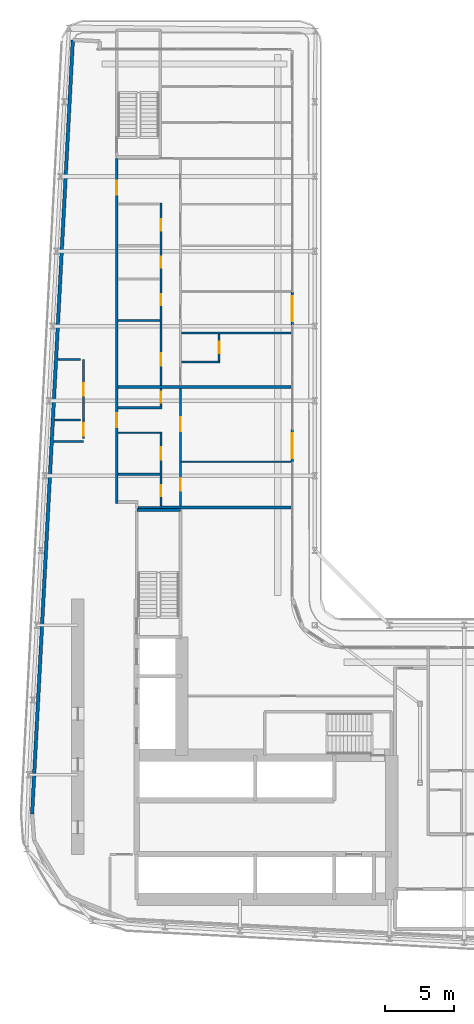
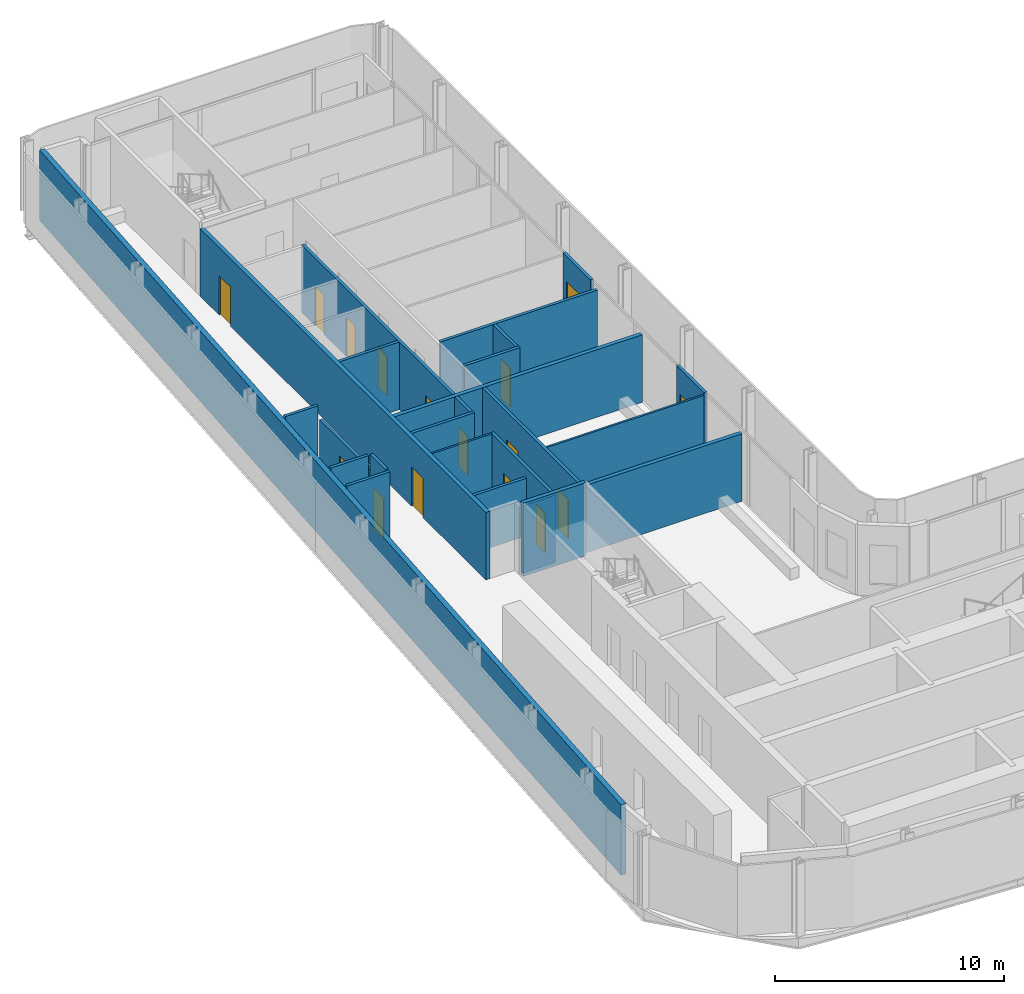
# One storey, part 17 of 27: 25 walls, 16 doors, 16 openings.
"""IFC4 building model written with IfcOpenShell, lengths in metres."""

import ifcopenshell
import ifcopenshell.guid

model = None  # the IFC model being written
_history = None  # IfcOwnerHistory: only IFC2X3 demands one
_inside = {}  # id of a spatial element -> (the spatial element, [elements in it])
_under = {}  # id of a project, library or spatial element -> (it, [spatial elements below it])
_declared = {}  # id of a project -> (the project, [libraries it declares])
_typed = {}  # id of a type object -> (the type object, [elements of that type])
_made_of = {}  # id of a material, layer set ... -> (it, [elements and type objects made of it])


def new_model(schema):
    """Start an empty IFC model of exactly this schema.

    Asked for "IFC4X3", IfcOpenShell would pick the latest addendum, in which some entities
    have other attributes; the version numbers below select the first issue.
    IFC2X3 requires an IfcOwnerHistory on every rooted entity: one is made here for all.
    """
    global model, _history
    if schema == "IFC4X3":
        model = ifcopenshell.file(schema_version=(4, 3, 0, 0))
    else:
        model = ifcopenshell.file(schema=schema)
    _inside.clear()
    _under.clear()
    _declared.clear()
    _typed.clear()
    _made_of.clear()
    _history = None
    if model.schema == "IFC2X3":
        org = make("IfcOrganization", Name="unknown")
        user = make(
            "IfcPersonAndOrganization",
            ThePerson=make("IfcPerson", FamilyName="unknown"),
            TheOrganization=org,
        )
        app = make(
            "IfcApplication",
            ApplicationDeveloper=org,
            Version="unknown",
            ApplicationFullName="unknown",
            ApplicationIdentifier="unknown",
        )
        _history = make(
            "IfcOwnerHistory",
            OwningUser=user,
            OwningApplication=app,
            ChangeAction="ADDED",
            CreationDate=0,
        )
    return model


def make(cls, **values):
    """One entity of the class cls with the attributes given. An attribute that is None is left unset."""
    return model.create_entity(
        cls, **{name: value for name, value in values.items() if value is not None}
    )


def rooted(cls, **values):
    """An entity with a GlobalId (a new one), such as an element, a storey or a relation."""
    return make(cls, GlobalId=ifcopenshell.guid.new(), OwnerHistory=_history, **values)


def si_unit(unit_type, name, prefix=None):
    """IfcSIUnit, for example si_unit("LENGTHUNIT", "METRE", prefix="MILLI")."""
    return make("IfcSIUnit", UnitType=unit_type, Prefix=prefix, Name=name)


def assignment(units):
    """IfcUnitAssignment: the units of a project."""
    return None if units is None else make("IfcUnitAssignment", Units=units)


def point(xyz):
    """IfcCartesianPoint."""
    return None if xyz is None else make("IfcCartesianPoint", Coordinates=xyz)


def direction(xyz):
    """IfcDirection."""
    return None if xyz is None else make("IfcDirection", DirectionRatios=xyz)


def frame(location, z_axis=None, x_axis=None):
    """IfcAxis2Placement3D, a coordinate frame: its origin and axes. An axis left out is left unset."""
    return make(
        "IfcAxis2Placement3D",
        Location=point(location),
        Axis=direction(z_axis),
        RefDirection=direction(x_axis),
    )


def frame_2d(location, x_axis=None):
    """IfcAxis2Placement2D, a coordinate frame in the plane: its origin and x axis."""
    return make(
        "IfcAxis2Placement2D", Location=point(location), RefDirection=direction(x_axis)
    )


def origin():
    """The frame at (0, 0, 0) with its axes left unset."""
    return frame((0.0, 0.0, 0.0))


def place(relative_to, where):
    """IfcLocalPlacement: puts the frame where relative to a parent placement (None: the world)."""
    return make(
        "IfcLocalPlacement", PlacementRelTo=relative_to, RelativePlacement=where
    )


def context(
    kind, dimensions, precision=None, world=None, true_north=None, identifier=None
):
    """IfcGeometricRepresentationContext, for example the 3D "Model" context."""
    return make(
        "IfcGeometricRepresentationContext",
        ContextIdentifier=identifier,
        ContextType=kind,
        CoordinateSpaceDimension=dimensions,
        Precision=precision,
        WorldCoordinateSystem=world,
        TrueNorth=true_north,
    )


def subcontext(parent, identifier, kind, view, scale=None):
    """IfcGeometricRepresentationSubContext, for example "Body" below "Model"."""
    return make(
        "IfcGeometricRepresentationSubContext",
        ContextIdentifier=identifier,
        ContextType=kind,
        ParentContext=parent,
        TargetScale=scale,
        TargetView=view,
    )


def project(units=None, contexts=None):
    """IfcProject with its units and contexts."""
    return rooted(
        "IfcProject",
        Name="project",
        RepresentationContexts=contexts,
        UnitsInContext=assignment(units),
    )


def spatial(cls, under=None, at=None, **own):
    """A site, building, storey or space (cls), placed at a placement, below another one or the project."""
    s = rooted(cls, ObjectPlacement=at, **own)
    if under is not None:
        _under.setdefault(under.id(), (under, []))[1].append(s)
    return s


def profile(cls, at=None, kind="AREA", **sizes):
    """A parametric profile (cls). Its sizes go by their IFC names, for example OverallWidth=200.0."""
    return make(cls, ProfileType=kind, Position=at, **sizes)


def rectangle(**sizes):
    """IfcRectangleProfileDef."""
    return profile("IfcRectangleProfileDef", **sizes)


def extrude(swept, where, along, depth):
    """IfcExtrudedAreaSolid: the profile swept, set in the frame where, extruded along a direction by depth."""
    return make(
        "IfcExtrudedAreaSolid",
        SweptArea=swept,
        Position=where,
        ExtrudedDirection=direction(along),
        Depth=depth,
    )


def shape(context_of_items, identifier, shape_type, items):
    """IfcShapeRepresentation: the items that make up one representation, for example the "Body"."""
    return make(
        "IfcShapeRepresentation",
        ContextOfItems=context_of_items,
        RepresentationIdentifier=identifier,
        RepresentationType=shape_type,
        Items=items,
    )


def source(mapping_origin, context_of_items, identifier, shape_type, items):
    """IfcRepresentationMap: a shape defined once, which mapped items show again and again."""
    return make(
        "IfcRepresentationMap",
        MappingOrigin=mapping_origin,
        MappedRepresentation=shape(context_of_items, identifier, shape_type, items),
    )


def transform(
    local_origin,
    x_axis=None,
    y_axis=None,
    z_axis=None,
    scale=None,
    scale2=None,
    scale3=None,
    uniform=True,
):
    """IfcCartesianTransformationOperator3D, or its non-uniform kind. x_axis, y_axis, z_axis: its Axis1, 2, 3."""
    if uniform:
        return make(
            "IfcCartesianTransformationOperator3D",
            Axis1=direction(x_axis),
            Axis2=direction(y_axis),
            LocalOrigin=point(local_origin),
            Scale=scale,
            Axis3=direction(z_axis),
        )
    return make(
        "IfcCartesianTransformationOperator3DnonUniform",
        Axis1=direction(x_axis),
        Axis2=direction(y_axis),
        LocalOrigin=point(local_origin),
        Scale=scale,
        Axis3=direction(z_axis),
        Scale2=scale2,
        Scale3=scale3,
    )


def mapped(mapping_source, mapping_target):
    """IfcMappedItem: shows the shape of a source again, moved by a transform."""
    return make(
        "IfcMappedItem", MappingSource=mapping_source, MappingTarget=mapping_target
    )


def material(Name=None, Category=None):
    """IfcMaterial."""
    return make("IfcMaterial", Name=Name, Category=Category)


def layer(
    of_material, thickness, ventilated=None, Name=None, Category=None, Priority=None
):
    """IfcMaterialLayer: one layer of a wall or slab, of a material (None: an air gap)."""
    return make(
        "IfcMaterialLayer",
        Material=of_material,
        LayerThickness=thickness,
        IsVentilated=ventilated,
        Name=Name,
        Category=Category,
        Priority=Priority,
    )


def layer_set(layers, Name=None):
    """IfcMaterialLayerSet."""
    return make("IfcMaterialLayerSet", MaterialLayers=layers, LayerSetName=Name)


def made_of(thing, what):
    """Note that an element or type object is made of a material, layer set ...; save() writes the relation."""
    if what is not None:
        _made_of.setdefault(what.id(), (what, []))[1].append(thing)
    return thing


def type_object(cls, material=None, **own):
    """A type object (cls), such as IfcWallType, which elements share."""
    return made_of(rooted(cls, **own), material)


def element(
    cls,
    number,
    at=None,
    inside=None,
    cuts=None,
    type_object=None,
    material=None,
    context=None,
    identifier="Body",
    shape_type=None,
    held_by="IfcProductDefinitionShape",
    body=None,
    shapes=None,
    **own,
):
    """One element of the class cls, such as IfcWall. Its Tag is "e" and its number.

    at: its placement. inside: the storey or other place that contains it. cuts: it is an
    opening in that element (IfcRelVoidsElement). A single representation is given by context,
    identifier, shape_type and body (its items); several are given by shapes. held_by: the class
    of the entity that holds the representations. save() writes the other relations.
    """
    e = rooted(cls, Tag="e%d" % number, ObjectPlacement=at, **own)
    if body is not None:
        shapes = [shape(context, identifier, shape_type, body)]
    if shapes is not None:
        e.Representation = make(held_by, Representations=shapes)
    if inside is not None:
        _inside.setdefault(inside.id(), (inside, []))[1].append(e)
    if cuts is not None:
        rooted(
            "IfcRelVoidsElement", RelatingBuildingElement=cuts, RelatedOpeningElement=e
        )
    if type_object is not None:
        _typed.setdefault(type_object.id(), (type_object, []))[1].append(e)
    return made_of(e, material)


def fill(opening, filler):
    """IfcRelFillsElement: the door or window that sits in an opening."""
    return rooted(
        "IfcRelFillsElement",
        RelatingOpeningElement=opening,
        RelatedBuildingElement=filler,
    )


def aggregate(whole, parts):
    """IfcRelAggregates: a whole, such as a stair, and the parts it consists of."""
    return rooted("IfcRelAggregates", RelatingObject=whole, RelatedObjects=parts)


def save(model, path):
    """Write the relations noted so far, then the file.

    IfcRelAggregates (storeys below a building ...), IfcRelContainedInSpatialStructure (elements
    in a storey), IfcRelDefinesByType, IfcRelAssociatesMaterial and IfcRelDeclares: one each for
    every whole, place, type object, material and project.
    """
    for whole, parts in _under.values():
        aggregate(whole, parts)
    for where, things in _inside.values():
        rooted(
            "IfcRelContainedInSpatialStructure",
            RelatedElements=things,
            RelatingStructure=where,
        )
    for kind, things in _typed.values():
        rooted("IfcRelDefinesByType", RelatedObjects=things, RelatingType=kind)
    for what, things in _made_of.values():
        rooted("IfcRelAssociatesMaterial", RelatedObjects=things, RelatingMaterial=what)
    for by, libraries in _declared.values():
        rooted("IfcRelDeclares", RelatingContext=by, RelatedDefinitions=libraries)
    model.write(path)


model = new_model("IFC4")

# Units and contexts
model_context = context("Model", 3, precision=1e-05, world=origin(), true_north=direction((0.0, 1.0)))
body_context = subcontext(model_context, "Body", "Model", "MODEL_VIEW")
ifc_project = project(units=[si_unit("LENGTHUNIT", "METRE"), si_unit("AREAUNIT", "SQUARE_METRE"), si_unit("VOLUMEUNIT", "CUBIC_METRE"), si_unit("PLANEANGLEUNIT", "RADIAN"), si_unit("MASSUNIT", "GRAM", prefix="KILO")], contexts=[model_context])

# Site, building, storey
site_placement = place(None, origin())
site = spatial("IfcSite", under=ifc_project, at=site_placement, CompositionType="ELEMENT")
building_placement = place(site_placement, origin())
building = spatial("IfcBuilding", under=site, at=building_placement, Name="Kheshtan School and Residences Tower", CompositionType="ELEMENT")
storey_placement = place(building_placement, frame((0.0, 0.0, 98.0)))
storey = spatial("IfcBuildingStorey", under=building, at=storey_placement, Name="L22", CompositionType="ELEMENT", Elevation=98.0)

# Wall, openings, doors
ifc_material_1 = material(Name="Gypsum board on steel studs with fire boards", Category="steel")
ifc_layer_1 = layer(ifc_material_1, 0.199951171875)
ifc_layer_set_1 = layer_set([ifc_layer_1], Name="Corridor wall 200")
wall_type_1 = type_object("IfcWallType", Name="Corridor wall 200", PredefinedType="PARTITIONING", material=ifc_layer_set_1)
wall_1_placement = place(storey_placement, frame((33.300048828125, 54.39990234375, 0.0), z_axis=(0.0, 0.0, 1.0), x_axis=(0.0, 1.0, 0.0)))
wall_1 = element("IfcWall", 1, at=wall_1_placement, inside=storey, type_object=wall_type_1, Name="Partition L22-001", PredefinedType="PARTITIONING", context=body_context, shape_type="SweptSolid", body=[
    extrude(rectangle(XDim=24.9501953125, YDim=0.199951171875, at=frame_2d((12.47509765625, 0.0))), origin(), (0.0, 0.0, 1.0), 3.60009765625),
])
opening_1_placement = place(wall_1_placement, frame((5.5, 0.0, 0.0)))
opening_1 = element("IfcOpeningElement", 2, at=opening_1_placement, cuts=wall_1, Name="Opening D21-031", PredefinedType="OPENING", context=body_context, shape_type="SweptSolid", body=[
    extrude(rectangle(XDim=1.0, YDim=2.10009765625, at=frame_2d((0.5, 1.050048828125))), frame((0.0, 0.10986328125, 0.0), z_axis=(0.0, -1.0, 0.0), x_axis=(1.0, 0.0, 0.0)), (0.0, 0.0, 1.0), 0.219970703125),
])
opening_2_placement = place(wall_1_placement, frame((22.300048828125, 0.0, 0.0)))
opening_2 = element("IfcOpeningElement", 3, at=opening_2_placement, cuts=wall_1, Name="Opening D21-040", PredefinedType="OPENING", context=body_context, shape_type="SweptSolid", body=[
    extrude(rectangle(XDim=1.0, YDim=2.10009765625, at=frame_2d((0.5, 1.050048828125))), frame((0.0, 0.10986328125, 0.0), z_axis=(0.0, -1.0, 0.0), x_axis=(1.0, 0.0, 0.0)), (0.0, 0.0, 1.0), 0.219970703125),
])
ifc_material_2 = material(Name="Steel-framed fire-resisting door leaf", Category="steel")
door_type_1 = type_object("IfcDoorType", Name="Fire door FD30S 1000 x 2100", OperationType="SINGLE_SWING_LEFT", PredefinedType="DOOR", material=ifc_material_2)
shared_shape_1 = source(origin(), body_context, "Body", "SweptSolid", [
    extrude(rectangle(XDim=1.0, YDim=2.10009765625, at=frame_2d((0.5, 1.050048828125))), frame((0.0, 0.02490234375, 0.0), z_axis=(0.0, -1.0, 0.0), x_axis=(1.0, 0.0, 0.0)), (0.0, 0.0, 1.0), 0.050048828125),
])
door_1_placement = place(opening_1_placement, origin())
door_1 = element("IfcDoor", 4, at=door_1_placement, inside=storey, type_object=door_type_1, Name="Door D21-031", OperationType="SINGLE_SWING_RIGHT", OverallHeight=2.10009765625, OverallWidth=1.0, PredefinedType="DOOR", context=body_context, shape_type="MappedRepresentation", body=[
    mapped(shared_shape_1, transform((0.0, 0.0, 0.0), x_axis=(1.0, 0.0, 0.0), y_axis=(0.0, 1.0, 0.0), z_axis=(0.0, 0.0, 1.0), scale=1.0)),
])
fill(opening_1, door_1)
door_2_placement = place(opening_2_placement, origin())
door_2 = element("IfcDoor", 5, at=door_2_placement, inside=storey, type_object=door_type_1, Name="Door D21-040", OperationType="SINGLE_SWING_RIGHT", OverallHeight=2.10009765625, OverallWidth=1.0, PredefinedType="DOOR", context=body_context, shape_type="MappedRepresentation", body=[
    mapped(shared_shape_1, transform((0.0, 0.0, 0.0), x_axis=(1.0, 0.0, 0.0), y_axis=(0.0, 1.0, 0.0), z_axis=(0.0, 0.0, 1.0), scale=1.0)),
])
fill(opening_2, door_2)

# Wall
ifc_material_3 = material(Name="Concrete C40/50 with ceramic cladding and mineral wool insulation", Category="concrete")
ifc_layer_2 = layer(ifc_material_3, 0.25)
ifc_layer_set_2 = layer_set([ifc_layer_2], Name="External wall 250 ceramic clad")
wall_type_2 = type_object("IfcWallType", Name="External wall 250 ceramic clad", PredefinedType="SOLIDWALL", material=ifc_layer_set_2)
wall_2_placement = place(storey_placement, frame((27.195068359375, 31.968994140625, 0.0), z_axis=(0.0, 0.0, 1.0), x_axis=(0.052559748861, 0.998617781135, 0.0)))
element("IfcWall", 6, at=wall_2_placement, inside=storey, type_object=wall_type_2, Name="External wall L22 16", PredefinedType="SOLIDWALL", context=body_context, shape_type="SweptSolid", body=[
    extrude(rectangle(XDim=55.972412109375, YDim=0.25, at=frame_2d((27.986328125, 0.0))), origin(), (0.0, 0.0, 1.0), 3.75),
])

# Wall, opening, door
ifc_material_4 = material(Name="Aluminium frame wall with insulated infill", Category="aluminium")
ifc_layer_3 = layer(ifc_material_4, 0.14990234375)
ifc_layer_set_3 = layer_set([ifc_layer_3], Name="Glazing frame wall 150")
wall_type_3 = type_object("IfcWallType", Name="Glazing frame wall 150", PredefinedType="SOLIDWALL", material=ifc_layer_set_3)
wall_3_placement = place(storey_placement, frame((45.97509765625, 69.6650390625, 0.0), z_axis=(0.0, 0.0, 1.0), x_axis=(0.0, -1.0, 0.0)))
wall_3 = element("IfcWall", 7, at=wall_3_placement, inside=storey, type_object=wall_type_3, Name="Balcony door wall L22 4.2", PredefinedType="SOLIDWALL", context=body_context, shape_type="SweptSolid", body=[
    extrude(rectangle(XDim=2.400146484375, YDim=0.14990234375, at=frame_2d((1.2001953125, 0.0))), origin(), (0.0, 0.0, 1.0), 3.75),
])
opening_3_placement = place(wall_3_placement, frame((0.300048828125, 0.0, 0.0)))
opening_3 = element("IfcOpeningElement", 8, at=opening_3_placement, cuts=wall_3, Name="Opening BD", PredefinedType="OPENING", context=body_context, shape_type="SweptSolid", body=[
    extrude(rectangle(XDim=1.800048828125, YDim=2.39990234375, at=frame_2d((0.89990234375, 1.199951171875))), frame((0.0, 0.0849609375, 0.0), z_axis=(0.0, -1.0, 0.0), x_axis=(1.0, 0.0, 0.0)), (0.0, 0.0, 1.0), 0.169921875),
])
ifc_material_5 = material(Name="Clear low-e glass in thermally broken aluminium frame", Category="aluminium")
door_type_2 = type_object("IfcDoorType", Name="Balcony sliding door", OperationType="SLIDING_TO_LEFT", PredefinedType="DOOR", material=ifc_material_5)
shared_shape_2 = source(origin(), body_context, "Body", "SweptSolid", [
    extrude(rectangle(XDim=1.800048828125, YDim=2.39990234375, at=frame_2d((0.89990234375, 1.199951171875))), frame((0.0, 0.02490234375, 0.0), z_axis=(0.0, -1.0, 0.0), x_axis=(1.0, 0.0, 0.0)), (0.0, 0.0, 1.0), 0.050048828125),
])
door_3_placement = place(opening_3_placement, origin())
door_3 = element("IfcDoor", 9, at=door_3_placement, inside=storey, type_object=door_type_2, Name="Balcony door L22 4.2", OperationType="SLIDING_TO_LEFT", OverallHeight=2.39990234375, OverallWidth=1.800048828125, PredefinedType="DOOR", context=body_context, shape_type="MappedRepresentation", body=[
    mapped(shared_shape_2, transform((0.0, 0.0, 0.0), x_axis=(1.0, 0.0, 0.0), y_axis=(0.0, 1.0, 0.0), z_axis=(0.0, 0.0, 1.0), scale=1.0)),
])
fill(opening_3, door_3)

wall_4_placement = place(storey_placement, frame((45.97509765625, 59.748046875, 0.0), z_axis=(0.0, 0.0, 1.0), x_axis=(0.0, -1.0, 0.0)))
wall_4 = element("IfcWall", 10, at=wall_4_placement, inside=storey, type_object=wall_type_3, Name="Balcony door wall L22 4.3", PredefinedType="SOLIDWALL", context=body_context, shape_type="SweptSolid", body=[
    extrude(rectangle(XDim=2.401123046875, YDim=0.14990234375, at=frame_2d((1.20068359375, 0.0))), origin(), (0.0, 0.0, 1.0), 3.75),
])
opening_4_placement = place(wall_4_placement, frame((0.300048828125, 0.0, 0.0)))
opening_4 = element("IfcOpeningElement", 11, at=opening_4_placement, cuts=wall_4, Name="Opening BD", PredefinedType="OPENING", context=body_context, shape_type="SweptSolid", body=[
    extrude(rectangle(XDim=1.800048828125, YDim=2.39990234375, at=frame_2d((0.89990234375, 1.199951171875))), frame((0.0, 0.0849609375, 0.0), z_axis=(0.0, -1.0, 0.0), x_axis=(1.0, 0.0, 0.0)), (0.0, 0.0, 1.0), 0.169921875),
])
door_4_placement = place(opening_4_placement, origin())
door_4 = element("IfcDoor", 12, at=door_4_placement, inside=storey, type_object=door_type_2, Name="Balcony door L22 4.3", OperationType="SLIDING_TO_LEFT", OverallHeight=2.39990234375, OverallWidth=1.800048828125, PredefinedType="DOOR", context=body_context, shape_type="MappedRepresentation", body=[
    mapped(shared_shape_2, transform((0.0, 0.0, 0.0), x_axis=(1.0, 0.0, 0.0), y_axis=(0.0, 1.0, 0.0), z_axis=(0.0, 0.0, 1.0), scale=1.0)),
])
fill(opening_4, door_4)

# Walls
ifc_material_6 = material(Name="Gypsum board on steel studs", Category="steel")
ifc_layer_4 = layer(ifc_material_6, 0.10009765625)
ifc_layer_set_4 = layer_set([ifc_layer_4], Name="Gypsum partition 100")
wall_type_4 = type_object("IfcWallType", Name="Gypsum partition 100", PredefinedType="PARTITIONING", material=ifc_layer_set_4)
wall_5_placement = place(storey_placement, frame((33.39990234375, 59.5, 0.0), z_axis=(0.0, 0.0, 1.0), x_axis=(1.0, 0.0, 0.0)))
element("IfcWall", 13, at=wall_5_placement, inside=storey, type_object=wall_type_4, Name="Partition L22-004", PredefinedType="PARTITIONING", context=body_context, shape_type="SweptSolid", body=[
    extrude(rectangle(XDim=3.025146484375, YDim=0.10009765625, at=frame_2d((1.5126953125, 0.0))), origin(), (0.0, 0.0, 1.0), 3.60009765625),
])
wall_6_placement = place(storey_placement, frame((37.97509765625, 57.39990234375, 0.0), z_axis=(0.0, 0.0, 1.0), x_axis=(1.0, 0.0, 0.0)))
element("IfcWall", 14, at=wall_6_placement, inside=storey, type_object=wall_type_4, Name="Partition L22-022", PredefinedType="PARTITIONING", context=body_context, shape_type="SweptSolid", body=[
    extrude(rectangle(XDim=7.9248046875, YDim=0.10009765625, at=frame_2d((3.96240234375, 0.0))), origin(), (0.0, 0.0, 1.0), 3.60009765625),
])
ifc_material_7 = material(Name="Fire-board shaft wall system")
ifc_layer_5 = layer(ifc_material_7, 0.14990234375)
ifc_layer_set_5 = layer_set([ifc_layer_5], Name="Service room wall 150")
wall_type_5 = type_object("IfcWallType", Name="Service room wall 150", PredefinedType="PARTITIONING", material=ifc_layer_set_5)
wall_7_placement = place(storey_placement, frame((28.739013671875, 58.8720703125, 0.0), z_axis=(0.0, 0.0, 1.0), x_axis=(1.0, 0.0, 0.0)))
element("IfcWall", 15, at=wall_7_placement, inside=storey, type_object=wall_type_5, Name="Service room wall", PredefinedType="PARTITIONING", context=body_context, shape_type="SweptSolid", body=[
    extrude(rectangle(XDim=2.160888671875, YDim=0.14990234375, at=frame_2d((1.08056640625, 0.0))), origin(), (0.0, 0.0, 1.0), 3.89990234375),
])

# Wall, opening, door
wall_8_placement = place(storey_placement, frame((30.89990234375, 59.06689453125, 0.0), z_axis=(0.0, 0.0, 1.0), x_axis=(0.0, 1.0, 0.0)))
wall_8 = element("IfcWall", 16, at=wall_8_placement, inside=storey, type_object=wall_type_5, Name="Service room wall", PredefinedType="PARTITIONING", context=body_context, shape_type="SweptSolid", body=[
    extrude(rectangle(XDim=1.34716796875, YDim=0.14990234375, at=frame_2d((0.673583984375, 0.0))), origin(), (0.0, 0.0, 1.0), 3.89990234375),
])
opening_5_placement = place(wall_8_placement, frame((0.22607421875, 0.0, 0.0)))
opening_5 = element("IfcOpeningElement", 17, at=opening_5_placement, cuts=wall_8, Name="Opening SR90", PredefinedType="OPENING", context=body_context, shape_type="SweptSolid", body=[
    extrude(rectangle(XDim=0.89990234375, YDim=2.199951171875, at=frame_2d((0.449951171875, 1.10009765625))), frame((0.0, 0.0849609375, 0.0), z_axis=(0.0, -1.0, 0.0), x_axis=(1.0, 0.0, 0.0)), (0.0, 0.0, 1.0), 0.169921875),
])
ifc_material_8 = material(Name="Steel door leaf, galvanised", Category="steel")
door_type_3 = type_object("IfcDoorType", Name="Service room door 900 steel 90 min", OperationType="SINGLE_SWING_LEFT", PredefinedType="DOOR", material=ifc_material_8)
shared_shape_3 = source(origin(), body_context, "Body", "SweptSolid", [
    extrude(rectangle(XDim=0.89990234375, YDim=2.199951171875, at=frame_2d((0.449951171875, 1.10009765625))), frame((0.0, 0.02490234375, 0.0), z_axis=(0.0, -1.0, 0.0), x_axis=(1.0, 0.0, 0.0)), (0.0, 0.0, 1.0), 0.050048828125),
])
door_5_placement = place(opening_5_placement, origin())
door_5 = element("IfcDoor", 18, at=door_5_placement, inside=storey, type_object=door_type_3, Name="Service room door", OperationType="SINGLE_SWING_LEFT", OverallHeight=2.199951171875, OverallWidth=0.89990234375, PredefinedType="DOOR", context=body_context, shape_type="MappedRepresentation", body=[
    mapped(shared_shape_3, transform((0.0, 0.0, 0.0), x_axis=(1.0, 0.0, 0.0), y_axis=(0.0, 1.0, 0.0), z_axis=(0.0, 0.0, 1.0), scale=1.0)),
])
fill(opening_5, door_5)

# Wall
wall_9_placement = place(storey_placement, frame((28.820068359375, 60.4140625, 0.0), z_axis=(0.0, 0.0, 1.0), x_axis=(1.0, 0.0, 0.0)))
element("IfcWall", 19, at=wall_9_placement, inside=storey, type_object=wall_type_5, Name="Service room wall", PredefinedType="PARTITIONING", context=body_context, shape_type="SweptSolid", body=[
    extrude(rectangle(XDim=1.885009765625, YDim=0.14990234375, at=frame_2d((0.9423828125, 0.0))), origin(), (0.0, 0.0, 1.0), 3.89990234375),
])

# Wall, opening, door
wall_10_placement = place(storey_placement, frame((30.89990234375, 60.4140625, 0.0), z_axis=(0.0, 0.0, 1.0), x_axis=(0.0, 1.0, 0.0)))
wall_10 = element("IfcWall", 20, at=wall_10_placement, inside=storey, type_object=wall_type_5, Name="Service room wall", PredefinedType="PARTITIONING", context=body_context, shape_type="SweptSolid", body=[
    extrude(rectangle(XDim=4.385986328125, YDim=0.14990234375, at=frame_2d((2.19287109375, 0.0))), origin(), (0.0, 0.0, 1.0), 3.072021484375),
])
opening_6_placement = place(wall_10_placement, frame((1.742919921875, 0.0, 0.0)))
opening_6 = element("IfcOpeningElement", 21, at=opening_6_placement, cuts=wall_10, Name="Opening SR90", PredefinedType="OPENING", context=body_context, shape_type="SweptSolid", body=[
    extrude(rectangle(XDim=0.89990234375, YDim=2.199951171875, at=frame_2d((0.449951171875, 1.10009765625))), frame((0.0, 0.0849609375, 0.0), z_axis=(0.0, -1.0, 0.0), x_axis=(1.0, 0.0, 0.0)), (0.0, 0.0, 1.0), 0.169921875),
])
door_6_placement = place(opening_6_placement, origin())
door_6 = element("IfcDoor", 22, at=door_6_placement, inside=storey, type_object=door_type_3, Name="Service room door", OperationType="SINGLE_SWING_LEFT", OverallHeight=2.199951171875, OverallWidth=0.89990234375, PredefinedType="DOOR", context=body_context, shape_type="MappedRepresentation", body=[
    mapped(shared_shape_3, transform((0.0, 0.0, 0.0), x_axis=(1.0, 0.0, 0.0), y_axis=(0.0, 1.0, 0.0), z_axis=(0.0, 0.0, 1.0), scale=1.0)),
])
fill(opening_6, door_6)

# Walls
wall_11_placement = place(storey_placement, frame((29.051025390625, 64.800048828125, 0.0), z_axis=(0.0, 0.0, 1.0), x_axis=(1.0, 0.0, 0.0)))
element("IfcWall", 23, at=wall_11_placement, inside=storey, type_object=wall_type_5, Name="Service room wall", PredefinedType="PARTITIONING", context=body_context, shape_type="SweptSolid", body=[
    extrude(rectangle(XDim=1.654052734375, YDim=0.14990234375, at=frame_2d((0.8271484375, 0.0))), origin(), (0.0, 0.0, 1.0), 3.89990234375),
])
ifc_material_9 = material(Name="Concrete C40/50", Category="concrete")
ifc_layer_6 = layer(ifc_material_9, 0.199951171875)
ifc_layer_set_6 = layer_set([ifc_layer_6], Name="Stair enclosure wall 200 Concrete C40/50")
wall_type_6 = type_object("IfcWallType", Name="Stair enclosure wall 200 Concrete C40/50", PredefinedType="SHEAR", material=ifc_layer_set_6)
wall_12_placement = place(storey_placement, frame((34.75, 53.909912109375, 0.0), z_axis=(0.0, 0.0, 1.0), x_axis=(1.0, 0.0, 0.0)))
element("IfcWall", 24, at=wall_12_placement, inside=storey, type_object=wall_type_6, Name="Stair enclosure wall ST2", PredefinedType="SHEAR", context=body_context, shape_type="SweptSolid", body=[
    extrude(rectangle(XDim=3.14990234375, YDim=0.199951171875, at=frame_2d((1.574951171875, 0.0))), origin(), (0.0, 0.0, 1.0), 3.89990234375),
])
ifc_material_10 = material(Name="Twin gypsum board on steel studs with mineral wool", Category="steel")
ifc_layer_7 = layer(ifc_material_10, 0.199951171875)
ifc_layer_set_7 = layer_set([ifc_layer_7], Name="Unit demising wall 200")
wall_type_7 = type_object("IfcWallType", Name="Unit demising wall 200", PredefinedType="PARTITIONING", material=ifc_layer_set_7)
wall_13_placement = place(storey_placement, frame((33.39990234375, 62.800048828125, 0.0), z_axis=(0.0, 0.0, 1.0), x_axis=(1.0, 0.0, 0.0)))
element("IfcWall", 25, at=wall_13_placement, inside=storey, type_object=wall_type_7, Name="Partition L22-006", PredefinedType="PARTITIONING", context=body_context, shape_type="SweptSolid", body=[
    extrude(rectangle(XDim=12.5, YDim=0.199951171875, at=frame_2d((6.25, 0.0))), origin(), (0.0, 0.0, 1.0), 3.60009765625),
])
wall_14_placement = place(storey_placement, frame((36.5, 54.10009765625, 0.0), z_axis=(0.0, 0.0, 1.0), x_axis=(1.0, 0.0, 0.0)))
element("IfcWall", 26, at=wall_14_placement, inside=storey, type_object=wall_type_7, Name="Partition L22-014", PredefinedType="PARTITIONING", context=body_context, shape_type="SweptSolid", body=[
    extrude(rectangle(XDim=9.39990234375, YDim=0.199951171875, at=frame_2d((4.699951171875, 0.0))), origin(), (0.0, 0.0, 1.0), 3.60009765625),
])
ifc_material_11 = material(Name="Moisture-resistant gypsum board on steel studs", Category="steel")
ifc_layer_8 = layer(ifc_material_11, 0.14990234375)
ifc_layer_set_8 = layer_set([ifc_layer_8], Name="Wet-room partition 150")
wall_type_8 = type_object("IfcWallType", Name="Wet-room partition 150", PredefinedType="PARTITIONING", material=ifc_layer_set_8)
wall_15_placement = place(storey_placement, frame((33.39990234375, 56.5, 0.0), z_axis=(0.0, 0.0, 1.0), x_axis=(1.0, 0.0, 0.0)))
element("IfcWall", 27, at=wall_15_placement, inside=storey, type_object=wall_type_8, Name="Partition L22-003", PredefinedType="PARTITIONING", context=body_context, shape_type="SweptSolid", body=[
    extrude(rectangle(XDim=3.025146484375, YDim=0.14990234375, at=frame_2d((1.5126953125, 0.0))), origin(), (0.0, 0.0, 1.0), 3.072021484375),
])
wall_16_placement = place(storey_placement, frame((33.39990234375, 61.300048828125, 0.0), z_axis=(0.0, 0.0, 1.0), x_axis=(1.0, 0.0, 0.0)))
element("IfcWall", 28, at=wall_16_placement, inside=storey, type_object=wall_type_8, Name="Partition L22-005", PredefinedType="PARTITIONING", context=body_context, shape_type="SweptSolid", body=[
    extrude(rectangle(XDim=3.175048828125, YDim=0.14990234375, at=frame_2d((1.58740234375, 0.0))), origin(), (0.0, 0.0, 1.0), 3.60009765625),
])
wall_17_placement = place(storey_placement, frame((33.39990234375, 67.60009765625, 0.0), z_axis=(0.0, 0.0, 1.0), x_axis=(1.0, 0.0, 0.0)))
element("IfcWall", 29, at=wall_17_placement, inside=storey, type_object=wall_type_8, Name="Partition L22-007", PredefinedType="PARTITIONING", context=body_context, shape_type="SweptSolid", body=[
    extrude(rectangle(XDim=3.025146484375, YDim=0.14990234375, at=frame_2d((1.5126953125, 0.0))), origin(), (0.0, 0.0, 1.0), 3.60009765625),
])
wall_18_placement = place(storey_placement, frame((34.85009765625, 54.10009765625, 0.0), z_axis=(0.0, 0.0, 1.0), x_axis=(1.0, 0.0, 0.0)))
element("IfcWall", 30, at=wall_18_placement, inside=storey, type_object=wall_type_8, Name="Partition L22-013", PredefinedType="PARTITIONING", context=body_context, shape_type="SweptSolid", body=[
    extrude(rectangle(XDim=1.64990234375, YDim=0.14990234375, at=frame_2d((0.824951171875, 0.0))), origin(), (0.0, 0.0, 1.0), 3.60009765625),
])

# Wall, openings, doors
wall_19_placement = place(storey_placement, frame((36.5, 54.199951171875, 0.0), z_axis=(0.0, 0.0, 1.0), x_axis=(0.0, 1.0, 0.0)))
wall_19 = element("IfcWall", 31, at=wall_19_placement, inside=storey, type_object=wall_type_8, Name="Partition L22-015", PredefinedType="PARTITIONING", context=body_context, shape_type="SweptSolid", body=[
    extrude(rectangle(XDim=5.35009765625, YDim=0.14990234375, at=frame_2d((2.675048828125, 0.0))), origin(), (0.0, 0.0, 1.0), 3.60009765625),
])
opening_7_placement = place(wall_19_placement, frame((0.699951171875, 0.0, 0.0)))
opening_7 = element("IfcOpeningElement", 32, at=opening_7_placement, cuts=wall_19, Name="Opening D21-029", PredefinedType="OPENING", context=body_context, shape_type="SweptSolid", body=[
    extrude(rectangle(XDim=0.800048828125, YDim=2.10009765625, at=frame_2d((0.39990234375, 1.050048828125))), frame((0.0, 0.0849609375, 0.0), z_axis=(0.0, -1.0, 0.0), x_axis=(1.0, 0.0, 0.0)), (0.0, 0.0, 1.0), 0.169921875),
])
opening_8_placement = place(wall_19_placement, frame((3.35009765625, 0.0, 0.0)))
opening_8 = element("IfcOpeningElement", 33, at=opening_8_placement, cuts=wall_19, Name="Opening D21-032", PredefinedType="OPENING", context=body_context, shape_type="SweptSolid", body=[
    extrude(rectangle(XDim=0.89990234375, YDim=2.10009765625, at=frame_2d((0.449951171875, 1.050048828125))), frame((0.0, 0.0849609375, 0.0), z_axis=(0.0, -1.0, 0.0), x_axis=(1.0, 0.0, 0.0)), (0.0, 0.0, 1.0), 0.169921875),
])
ifc_material_12 = material(Name="Veneered timber door leaf", Category="wood")
door_type_4 = type_object("IfcDoorType", Name="Door 800 x 2100", OperationType="SINGLE_SWING_LEFT", PredefinedType="DOOR", material=ifc_material_12)
shared_shape_4 = source(origin(), body_context, "Body", "SweptSolid", [
    extrude(rectangle(XDim=0.800048828125, YDim=2.10009765625, at=frame_2d((0.39990234375, 1.050048828125))), frame((0.0, 0.02490234375, 0.0), z_axis=(0.0, -1.0, 0.0), x_axis=(1.0, 0.0, 0.0)), (0.0, 0.0, 1.0), 0.050048828125),
])
door_7_placement = place(opening_7_placement, origin())
door_7 = element("IfcDoor", 34, at=door_7_placement, inside=storey, type_object=door_type_4, Name="Door D21-029", OperationType="SINGLE_SWING_LEFT", OverallHeight=2.10009765625, OverallWidth=0.800048828125, PredefinedType="DOOR", context=body_context, shape_type="MappedRepresentation", body=[
    mapped(shared_shape_4, transform((0.0, 0.0, 0.0), x_axis=(1.0, 0.0, 0.0), y_axis=(0.0, 1.0, 0.0), z_axis=(0.0, 0.0, 1.0), scale=1.0)),
])
fill(opening_7, door_7)
door_type_5 = type_object("IfcDoorType", Name="Door 900 x 2100", OperationType="SINGLE_SWING_LEFT", PredefinedType="DOOR", material=ifc_material_12)
shared_shape_5 = source(origin(), body_context, "Body", "SweptSolid", [
    extrude(rectangle(XDim=0.89990234375, YDim=2.10009765625, at=frame_2d((0.449951171875, 1.050048828125))), frame((0.0, 0.02490234375, 0.0), z_axis=(0.0, -1.0, 0.0), x_axis=(1.0, 0.0, 0.0)), (0.0, 0.0, 1.0), 0.050048828125),
])
door_8_placement = place(opening_8_placement, origin())
door_8 = element("IfcDoor", 35, at=door_8_placement, inside=storey, type_object=door_type_5, Name="Door D21-032", OperationType="SINGLE_SWING_RIGHT", OverallHeight=2.10009765625, OverallWidth=0.89990234375, PredefinedType="DOOR", context=body_context, shape_type="MappedRepresentation", body=[
    mapped(shared_shape_5, transform((0.0, 0.0, 0.0), x_axis=(1.0, 0.0, 0.0), y_axis=(0.0, 1.0, 0.0), z_axis=(0.0, 0.0, 1.0), scale=1.0)),
])
fill(opening_8, door_8)

# Wall, opening, door
wall_20_placement = place(storey_placement, frame((36.5, 61.375, 0.0), z_axis=(0.0, 0.0, 1.0), x_axis=(0.0, 1.0, 0.0)))
wall_20 = element("IfcWall", 36, at=wall_20_placement, inside=storey, type_object=wall_type_8, Name="Partition L22-016", PredefinedType="PARTITIONING", context=body_context, shape_type="SweptSolid", body=[
    extrude(rectangle(XDim=1.324951171875, YDim=0.14990234375, at=frame_2d((0.66259765625, 0.0))), origin(), (0.0, 0.0, 1.0), 3.60009765625),
])
opening_9_placement = place(wall_20_placement, frame((0.27490234375, 0.0, 0.0)))
opening_9 = element("IfcOpeningElement", 37, at=opening_9_placement, cuts=wall_20, Name="Opening D21-034", PredefinedType="OPENING", context=body_context, shape_type="SweptSolid", body=[
    extrude(rectangle(XDim=0.800048828125, YDim=2.10009765625, at=frame_2d((0.39990234375, 1.050048828125))), frame((0.0, 0.0849609375, 0.0), z_axis=(0.0, -1.0, 0.0), x_axis=(1.0, 0.0, 0.0)), (0.0, 0.0, 1.0), 0.169921875),
])
door_9_placement = place(opening_9_placement, origin())
door_9 = element("IfcDoor", 38, at=door_9_placement, inside=storey, type_object=door_type_4, Name="Door D21-034", OperationType="SINGLE_SWING_LEFT", OverallHeight=2.10009765625, OverallWidth=0.800048828125, PredefinedType="DOOR", context=body_context, shape_type="MappedRepresentation", body=[
    mapped(shared_shape_4, transform((0.0, 0.0, 0.0), x_axis=(1.0, 0.0, 0.0), y_axis=(0.0, 1.0, 0.0), z_axis=(0.0, 0.0, 1.0), scale=1.0)),
])
fill(opening_9, door_9)

# Wall, openings, doors
wall_21_placement = place(storey_placement, frame((36.5, 62.89990234375, 0.0), z_axis=(0.0, 0.0, 1.0), x_axis=(0.0, 1.0, 0.0)))
wall_21 = element("IfcWall", 39, at=wall_21_placement, inside=storey, type_object=wall_type_8, Name="Partition L22-017", PredefinedType="PARTITIONING", context=body_context, shape_type="SweptSolid", body=[
    extrude(rectangle(XDim=13.175048828125, YDim=0.14990234375, at=frame_2d((6.58740234375, 0.0))), origin(), (0.0, 0.0, 1.0), 3.60009765625),
])
opening_10_placement = place(wall_21_placement, frame((5.800048828125, 0.0, 0.0)))
opening_10 = element("IfcOpeningElement", 40, at=opening_10_placement, cuts=wall_21, Name="Opening D21-035", PredefinedType="OPENING", context=body_context, shape_type="SweptSolid", body=[
    extrude(rectangle(XDim=0.800048828125, YDim=2.10009765625, at=frame_2d((0.39990234375, 1.050048828125))), frame((0.0, 0.0849609375, 0.0), z_axis=(0.0, -1.0, 0.0), x_axis=(1.0, 0.0, 0.0)), (0.0, 0.0, 1.0), 0.169921875),
])
opening_11_placement = place(wall_21_placement, frame((11.199951171875, 0.0, 0.0)))
opening_11 = element("IfcOpeningElement", 41, at=opening_11_placement, cuts=wall_21, Name="Opening D21-036", PredefinedType="OPENING", context=body_context, shape_type="SweptSolid", body=[
    extrude(rectangle(XDim=0.800048828125, YDim=2.10009765625, at=frame_2d((0.39990234375, 1.050048828125))), frame((0.0, 0.0849609375, 0.0), z_axis=(0.0, -1.0, 0.0), x_axis=(1.0, 0.0, 0.0)), (0.0, 0.0, 1.0), 0.169921875),
])
opening_12_placement = place(wall_21_placement, frame((1.449951171875, 0.0, 0.0)))
opening_12 = element("IfcOpeningElement", 42, at=opening_12_placement, cuts=wall_21, Name="Opening D21-041", PredefinedType="OPENING", context=body_context, shape_type="SweptSolid", body=[
    extrude(rectangle(XDim=0.89990234375, YDim=2.10009765625, at=frame_2d((0.449951171875, 1.050048828125))), frame((0.0, 0.0849609375, 0.0), z_axis=(0.0, -1.0, 0.0), x_axis=(1.0, 0.0, 0.0)), (0.0, 0.0, 1.0), 0.169921875),
])
opening_13_placement = place(wall_21_placement, frame((8.5, 0.0, 0.0)))
opening_13 = element("IfcOpeningElement", 43, at=opening_13_placement, cuts=wall_21, Name="Opening D21-045", PredefinedType="OPENING", context=body_context, shape_type="SweptSolid", body=[
    extrude(rectangle(XDim=0.800048828125, YDim=2.10009765625, at=frame_2d((0.39990234375, 1.050048828125))), frame((0.0, 0.0849609375, 0.0), z_axis=(0.0, -1.0, 0.0), x_axis=(1.0, 0.0, 0.0)), (0.0, 0.0, 1.0), 0.169921875),
])
door_10_placement = place(opening_10_placement, origin())
door_10 = element("IfcDoor", 44, at=door_10_placement, inside=storey, type_object=door_type_4, Name="Door D21-035", OperationType="SINGLE_SWING_RIGHT", OverallHeight=2.10009765625, OverallWidth=0.800048828125, PredefinedType="DOOR", context=body_context, shape_type="MappedRepresentation", body=[
    mapped(shared_shape_4, transform((0.0, 0.0, 0.0), x_axis=(1.0, 0.0, 0.0), y_axis=(0.0, 1.0, 0.0), z_axis=(0.0, 0.0, 1.0), scale=1.0)),
])
fill(opening_10, door_10)
door_11_placement = place(opening_11_placement, origin())
door_11 = element("IfcDoor", 45, at=door_11_placement, inside=storey, type_object=door_type_4, Name="Door D21-036", OperationType="SINGLE_SWING_RIGHT", OverallHeight=2.10009765625, OverallWidth=0.800048828125, PredefinedType="DOOR", context=body_context, shape_type="MappedRepresentation", body=[
    mapped(shared_shape_4, transform((0.0, 0.0, 0.0), x_axis=(1.0, 0.0, 0.0), y_axis=(0.0, 1.0, 0.0), z_axis=(0.0, 0.0, 1.0), scale=1.0)),
])
fill(opening_11, door_11)
door_12_placement = place(opening_13_placement, origin())
door_12 = element("IfcDoor", 46, at=door_12_placement, inside=storey, type_object=door_type_4, Name="Door D21-045", OperationType="SINGLE_SWING_LEFT", OverallHeight=2.10009765625, OverallWidth=0.800048828125, PredefinedType="DOOR", context=body_context, shape_type="MappedRepresentation", body=[
    mapped(shared_shape_4, transform((0.0, 0.0, 0.0), x_axis=(1.0, 0.0, 0.0), y_axis=(0.0, 1.0, 0.0), z_axis=(0.0, 0.0, 1.0), scale=1.0)),
])
fill(opening_13, door_12)
door_13_placement = place(opening_12_placement, origin())
door_13 = element("IfcDoor", 47, at=door_13_placement, inside=storey, type_object=door_type_5, Name="Door D21-041", OperationType="SINGLE_SWING_LEFT", OverallHeight=2.10009765625, OverallWidth=0.89990234375, PredefinedType="DOOR", context=body_context, shape_type="MappedRepresentation", body=[
    mapped(shared_shape_5, transform((0.0, 0.0, 0.0), x_axis=(1.0, 0.0, 0.0), y_axis=(0.0, 1.0, 0.0), z_axis=(0.0, 0.0, 1.0), scale=1.0)),
])
fill(opening_12, door_13)

wall_22_placement = place(storey_placement, frame((37.89990234375, 54.199951171875, 0.0), z_axis=(0.0, 0.0, 1.0), x_axis=(0.0, 1.0, 0.0)))
wall_22 = element("IfcWall", 48, at=wall_22_placement, inside=storey, type_object=wall_type_8, Name="Partition L22-020", PredefinedType="PARTITIONING", context=body_context, shape_type="SweptSolid", body=[
    extrude(rectangle(XDim=8.5, YDim=0.14990234375, at=frame_2d((4.25, 0.0))), origin(), (0.0, 0.0, 1.0), 3.60009765625),
])
opening_14_placement = place(wall_22_placement, frame((1.10009765625, 0.0, 0.0)))
opening_14 = element("IfcOpeningElement", 49, at=opening_14_placement, cuts=wall_22, Name="Opening D21-030", PredefinedType="OPENING", context=body_context, shape_type="SweptSolid", body=[
    extrude(rectangle(XDim=0.89990234375, YDim=2.10009765625, at=frame_2d((0.449951171875, 1.050048828125))), frame((0.0, 0.0849609375, 0.0), z_axis=(0.0, -1.0, 0.0), x_axis=(1.0, 0.0, 0.0)), (0.0, 0.0, 1.0), 0.169921875),
])
opening_15_placement = place(wall_22_placement, frame((5.39990234375, 0.0, 0.0)))
opening_15 = element("IfcOpeningElement", 50, at=opening_15_placement, cuts=wall_22, Name="Opening D21-033", PredefinedType="OPENING", context=body_context, shape_type="SweptSolid", body=[
    extrude(rectangle(XDim=1.0, YDim=2.10009765625, at=frame_2d((0.5, 1.050048828125))), frame((0.0, 0.0849609375, 0.0), z_axis=(0.0, -1.0, 0.0), x_axis=(1.0, 0.0, 0.0)), (0.0, 0.0, 1.0), 0.169921875),
])
door_type_6 = type_object("IfcDoorType", Name="Door 1000 x 2100", OperationType="SINGLE_SWING_LEFT", PredefinedType="DOOR", material=ifc_material_12)
shared_shape_6 = source(origin(), body_context, "Body", "SweptSolid", [
    extrude(rectangle(XDim=1.0, YDim=2.10009765625, at=frame_2d((0.5, 1.050048828125))), frame((0.0, 0.02490234375, 0.0), z_axis=(0.0, -1.0, 0.0), x_axis=(1.0, 0.0, 0.0)), (0.0, 0.0, 1.0), 0.050048828125),
])
door_14_placement = place(opening_15_placement, origin())
door_14 = element("IfcDoor", 51, at=door_14_placement, inside=storey, type_object=door_type_6, Name="Door D21-033", OperationType="SINGLE_SWING_RIGHT", OverallHeight=2.10009765625, OverallWidth=1.0, PredefinedType="DOOR", context=body_context, shape_type="MappedRepresentation", body=[
    mapped(shared_shape_6, transform((0.0, 0.0, 0.0), x_axis=(1.0, 0.0, 0.0), y_axis=(0.0, 1.0, 0.0), z_axis=(0.0, 0.0, 1.0), scale=1.0)),
])
fill(opening_15, door_14)
door_15_placement = place(opening_14_placement, origin())
door_15 = element("IfcDoor", 52, at=door_15_placement, inside=storey, type_object=door_type_5, Name="Door D21-030", OperationType="SINGLE_SWING_LEFT", OverallHeight=2.10009765625, OverallWidth=0.89990234375, PredefinedType="DOOR", context=body_context, shape_type="MappedRepresentation", body=[
    mapped(shared_shape_5, transform((0.0, 0.0, 0.0), x_axis=(1.0, 0.0, 0.0), y_axis=(0.0, 1.0, 0.0), z_axis=(0.0, 0.0, 1.0), scale=1.0)),
])
fill(opening_14, door_15)

# Walls
wall_23_placement = place(storey_placement, frame((37.97509765625, 64.60009765625, 0.0), z_axis=(0.0, 0.0, 1.0), x_axis=(1.0, 0.0, 0.0)))
element("IfcWall", 53, at=wall_23_placement, inside=storey, type_object=wall_type_8, Name="Partition L22-023", PredefinedType="PARTITIONING", context=body_context, shape_type="SweptSolid", body=[
    extrude(rectangle(XDim=2.7998046875, YDim=0.14990234375, at=frame_2d((1.39990234375, 0.0))), origin(), (0.0, 0.0, 1.0), 3.60009765625),
])
wall_24_placement = place(storey_placement, frame((37.97509765625, 66.699951171875, 0.0), z_axis=(0.0, 0.0, 1.0), x_axis=(1.0, 0.0, 0.0)))
element("IfcWall", 54, at=wall_24_placement, inside=storey, type_object=wall_type_8, Name="Partition L22-024", PredefinedType="PARTITIONING", context=body_context, shape_type="SweptSolid", body=[
    extrude(rectangle(XDim=7.9248046875, YDim=0.14990234375, at=frame_2d((3.96240234375, 0.0))), origin(), (0.0, 0.0, 1.0), 3.60009765625),
])

# Wall, opening, door
wall_25_placement = place(storey_placement, frame((40.699951171875, 64.675048828125, 0.0), z_axis=(0.0, 0.0, 1.0), x_axis=(0.0, 1.0, 0.0)))
wall_25 = element("IfcWall", 55, at=wall_25_placement, inside=storey, type_object=wall_type_8, Name="Partition L22-029", PredefinedType="PARTITIONING", context=body_context, shape_type="SweptSolid", body=[
    extrude(rectangle(XDim=1.949951171875, YDim=0.14990234375, at=frame_2d((0.97509765625, 0.0))), origin(), (0.0, 0.0, 1.0), 3.60009765625),
])
opening_16_placement = place(wall_25_placement, frame((0.574951171875, 0.0, 0.0)))
opening_16 = element("IfcOpeningElement", 56, at=opening_16_placement, cuts=wall_25, Name="Opening D21-039", PredefinedType="OPENING", context=body_context, shape_type="SweptSolid", body=[
    extrude(rectangle(XDim=0.800048828125, YDim=2.10009765625, at=frame_2d((0.39990234375, 1.050048828125))), frame((0.0, 0.0849609375, 0.0), z_axis=(0.0, -1.0, 0.0), x_axis=(1.0, 0.0, 0.0)), (0.0, 0.0, 1.0), 0.169921875),
])
door_16_placement = place(opening_16_placement, origin())
door_16 = element("IfcDoor", 57, at=door_16_placement, inside=storey, type_object=door_type_4, Name="Door D21-039", OperationType="SINGLE_SWING_RIGHT", OverallHeight=2.10009765625, OverallWidth=0.800048828125, PredefinedType="DOOR", context=body_context, shape_type="MappedRepresentation", body=[
    mapped(shared_shape_4, transform((0.0, 0.0, 0.0), x_axis=(1.0, 0.0, 0.0), y_axis=(0.0, 1.0, 0.0), z_axis=(0.0, 0.0, 1.0), scale=1.0)),
])
fill(opening_16, door_16)

save(model, "model.ifc")
